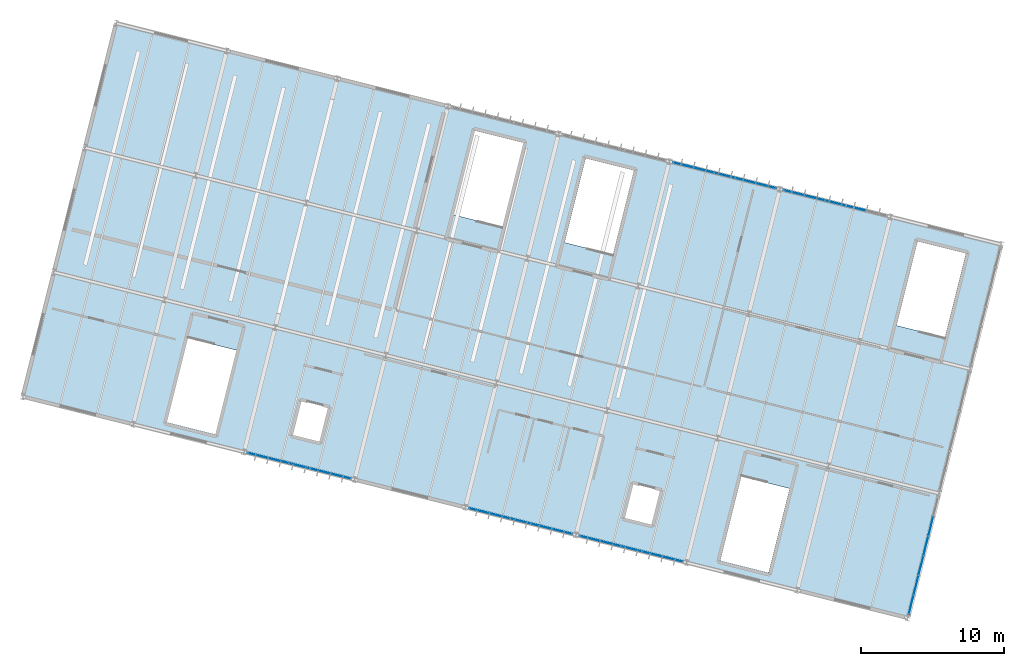
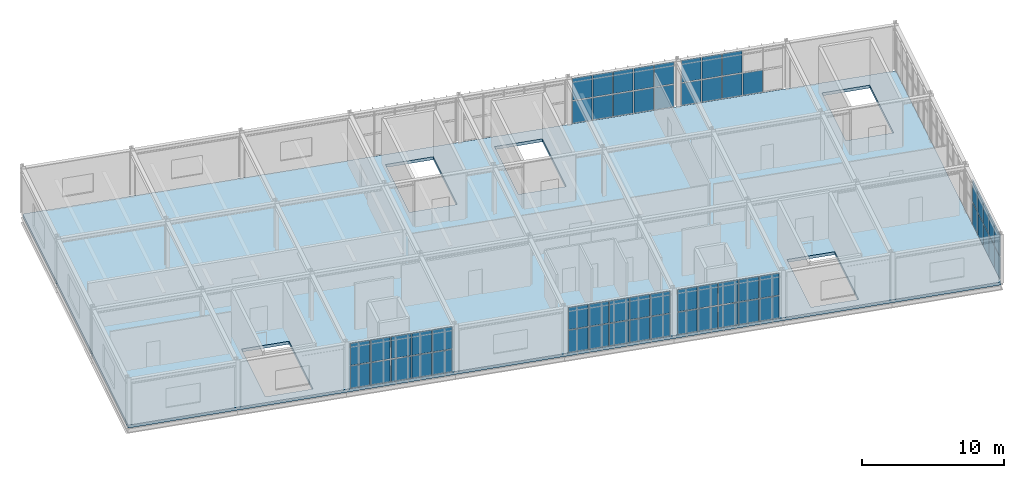
# One storey, part 21 of 30: 57 plates, 1 slab, 6 elements without a shape of their own.
"""IFC4 building model written with IfcOpenShell, lengths in metres."""

from ifc_helpers import new_model, si_unit, derived_unit, direction, frame, origin, origin_2d, place, context, subcontext, project, spatial, polyline, rectangle, outline, extrude, material, layer, layer_set, type_object, element, aggregate, save


model = new_model("IFC4")

# Units and contexts
model_context = context("Model", 3, precision=1e-05, world=origin(), true_north=direction((0.0, 1.0)))
body_context = subcontext(model_context, "Body", "Model", "MODEL_VIEW")
ifc_project = project(units=[si_unit("LENGTHUNIT", "METRE"), si_unit("AREAUNIT", "SQUARE_METRE"), si_unit("VOLUMEUNIT", "CUBIC_METRE"), si_unit("PLANEANGLEUNIT", "RADIAN"), si_unit("MASSUNIT", "GRAM", prefix="KILO"), si_unit("THERMODYNAMICTEMPERATUREUNIT", "KELVIN"), si_unit("TIMEUNIT", "SECOND"), derived_unit("THERMALTRANSMITTANCEUNIT", [(si_unit("MASSUNIT", "GRAM", prefix="KILO"), 1), (si_unit("THERMODYNAMICTEMPERATUREUNIT", "KELVIN"), -1), (si_unit("TIMEUNIT", "SECOND"), -3)])], contexts=[model_context])

# Site, building, storey
site_placement = place(None, origin())
site = spatial("IfcSite", under=ifc_project, at=site_placement, CompositionType="ELEMENT")
building_placement = place(site_placement, origin())
building = spatial("IfcBuilding", under=site, at=building_placement, Name="Cambertide Market Hall", CompositionType="ELEMENT")
storey_placement = place(building_placement, frame((0.0, 0.0, 14.10009765625)))
storey = spatial("IfcBuildingStorey", under=building, at=storey_placement, Name="L04", CompositionType="ELEMENT", Elevation=14.10009765625)

# Slab
ifc_material_1 = material(Name="Concrete B30", Category="concrete")
ifc_layer_1 = layer(ifc_material_1, 0.2548828125, Name="Auditorium & Admin Crown Slab 255")
ifc_layer_set_1 = layer_set([ifc_layer_1], Name="Concrete B30")
slab_type = type_object("IfcSlabType", Name="Auditorium & Admin Crown Slab 255", PredefinedType="FLOOR", material=ifc_layer_set_1)
slab_placement = place(storey_placement, frame((0.0, 0.0, -0.255126953125)))
element("IfcSlab", 1, at=slab_placement, inside=storey, type_object=slab_type, Name="Level 4 Slab SLB-L04-V4", PredefinedType="FLOOR", context=body_context, shape_type="SweptSolid", body=[
    extrude(outline(polyline([(108.0, 100.0), (170.089111328125, 84.477783203125), (176.6376953125, 110.671630859375), (114.548583984375, 126.19384765625), (108.0, 100.0)]), holes=[polyline([(122.98779296875, 103.25830078125), (121.50927734375, 97.34423828125), (118.11376953125, 98.193115234375), (119.59228515625, 104.107177734375), (122.98779296875, 103.25830078125)]), polyline([(138.2451171875, 112.7490234375), (139.7236328125, 118.6630859375), (143.119140625, 117.814208984375), (141.640625, 111.900146484375), (138.2451171875, 112.7490234375)]), polyline([(161.79345703125, 93.556884765625), (160.31494140625, 87.642822265625), (156.91943359375, 88.49169921875), (158.39794921875, 94.40576171875), (161.79345703125, 93.556884765625)]), polyline([(169.289794921875, 104.988037109375), (170.768310546875, 110.90185546875), (174.163818359375, 110.05322265625), (172.685302734375, 104.13916015625), (169.289794921875, 104.988037109375)]), polyline([(146.00634765625, 110.808837890625), (147.48486328125, 116.722900390625), (150.88037109375, 115.8740234375), (149.40185546875, 109.9599609375), (146.00634765625, 110.808837890625)]), polyline([(127.511962890625, 99.708984375), (129.452392578125, 99.223876953125), (128.845947265625, 96.798583984375), (126.90576171875, 97.28369140625), (127.511962890625, 99.708984375)]), polyline([(150.79541015625, 93.88818359375), (152.735595703125, 93.403076171875), (152.12939453125, 90.977783203125), (150.18896484375, 91.462646484375), (150.79541015625, 93.88818359375)])]), origin(), (0.0, 0.0, 1.0), 0.255126953125),
])

# Curtain wall, plates
ifc_material_2 = material(Name="Marine Anodized Aluminium 6063-T6 AA25", Category="aluminium")
curtain_wall_type_1 = type_object("IfcCurtainWallType", Name="Herb Conservatory Crown Curtain Wall", PredefinedType="USERDEFINED", material=ifc_material_2)
curtain_wall_1_placement = place(storey_placement, origin())
curtain_wall_1 = element("IfcCurtainWall", 2, at=curtain_wall_1_placement, inside=storey, type_object=curtain_wall_type_1, Name="Level 4 Curtain Wall CW-V4S-L04-3", ObjectType="UNITIZED CURTAIN WALL", PredefinedType="USERDEFINED")
ifc_material_3 = material(Name="Low-E Laminated Insulated Glass", Category="glass")
ifc_layer_2 = layer(ifc_material_3, 0.028076171875, Name="Vision Insulated Glazing Panel 28")
ifc_layer_set_2 = layer_set([ifc_layer_2], Name="Low-E Laminated Insulated Glass")
plate_type = type_object("IfcPlateType", Name="Vision Insulated Glazing Panel 28", PredefinedType="CURTAIN_PANEL", material=ifc_layer_set_2)
plate_1_placement = place(storey_placement, frame((130.321044921875, 94.419677734375, 0.0400390625), z_axis=(0.0, 0.0, 1.0), x_axis=(-0.970142531436, 0.242535499875, 0.0)))
plate_1 = element("IfcPlate", 3, at=plate_1_placement, type_object=plate_type, Name="CW-V4S-L04-3 Glazing Panel 1-1", PredefinedType="CURTAIN_PANEL", context=body_context, shape_type="SweptSolid", body=[
    extrude(rectangle(XDim=1.424072265625, YDim=0.028076171875, at=origin_2d()), origin(), (0.0, 0.0, 1.0), 1.89990234375),
])
plate_2_placement = place(storey_placement, frame((128.862060546875, 94.784423828125, 0.0400390625), z_axis=(0.0, 0.0, 1.0), x_axis=(-0.970142531436, 0.242535499875, 0.0)))
plate_2 = element("IfcPlate", 4, at=plate_2_placement, type_object=plate_type, Name="CW-V4S-L04-3 Glazing Panel 1-2", PredefinedType="CURTAIN_PANEL", context=body_context, shape_type="SweptSolid", body=[
    extrude(rectangle(XDim=1.424072265625, YDim=0.028076171875, at=origin_2d()), origin(), (0.0, 0.0, 1.0), 1.89990234375),
])
plate_3_placement = place(storey_placement, frame((127.40283203125, 95.149169921875, 0.0400390625), z_axis=(0.0, 0.0, 1.0), x_axis=(-0.970142531436, 0.242535499875, 0.0)))
plate_3 = element("IfcPlate", 5, at=plate_3_placement, type_object=plate_type, Name="CW-V4S-L04-3 Glazing Panel 1-3", PredefinedType="CURTAIN_PANEL", context=body_context, shape_type="SweptSolid", body=[
    extrude(rectangle(XDim=1.424072265625, YDim=0.028076171875, at=origin_2d()), origin(), (0.0, 0.0, 1.0), 1.89990234375),
])
plate_4_placement = place(storey_placement, frame((125.94384765625, 95.51416015625, 0.0400390625), z_axis=(0.0, 0.0, 1.0), x_axis=(-0.970142531436, 0.242535499875, 0.0)))
plate_4 = element("IfcPlate", 6, at=plate_4_placement, type_object=plate_type, Name="CW-V4S-L04-3 Glazing Panel 1-4", PredefinedType="CURTAIN_PANEL", context=body_context, shape_type="SweptSolid", body=[
    extrude(rectangle(XDim=1.424072265625, YDim=0.028076171875, at=origin_2d()), origin(), (0.0, 0.0, 1.0), 1.89990234375),
])
plate_5_placement = place(storey_placement, frame((124.484619140625, 95.87890625, 0.0400390625), z_axis=(0.0, 0.0, 1.0), x_axis=(-0.970142531436, 0.242535499875, 0.0)))
plate_5 = element("IfcPlate", 7, at=plate_5_placement, type_object=plate_type, Name="CW-V4S-L04-3 Glazing Panel 1-5", PredefinedType="CURTAIN_PANEL", context=body_context, shape_type="SweptSolid", body=[
    extrude(rectangle(XDim=1.424072265625, YDim=0.028076171875, at=origin_2d()), origin(), (0.0, 0.0, 1.0), 1.89990234375),
])
plate_6_placement = place(storey_placement, frame((130.321044921875, 94.419677734375, 2.02001953125), z_axis=(0.0, 0.0, 1.0), x_axis=(-0.970142531436, 0.242535499875, 0.0)))
plate_6 = element("IfcPlate", 8, at=plate_6_placement, type_object=plate_type, Name="CW-V4S-L04-3 Glazing Panel 2-1", PredefinedType="CURTAIN_PANEL", context=body_context, shape_type="SweptSolid", body=[
    extrude(rectangle(XDim=1.424072265625, YDim=0.028076171875, at=origin_2d()), origin(), (0.0, 0.0, 1.0), 1.89990234375),
])
plate_7_placement = place(storey_placement, frame((128.862060546875, 94.784423828125, 2.02001953125), z_axis=(0.0, 0.0, 1.0), x_axis=(-0.970142531436, 0.242535499875, 0.0)))
plate_7 = element("IfcPlate", 9, at=plate_7_placement, type_object=plate_type, Name="CW-V4S-L04-3 Glazing Panel 2-2", PredefinedType="CURTAIN_PANEL", context=body_context, shape_type="SweptSolid", body=[
    extrude(rectangle(XDim=1.424072265625, YDim=0.028076171875, at=origin_2d()), origin(), (0.0, 0.0, 1.0), 1.89990234375),
])
plate_8_placement = place(storey_placement, frame((127.40283203125, 95.149169921875, 2.02001953125), z_axis=(0.0, 0.0, 1.0), x_axis=(-0.970142531436, 0.242535499875, 0.0)))
plate_8 = element("IfcPlate", 10, at=plate_8_placement, type_object=plate_type, Name="CW-V4S-L04-3 Glazing Panel 2-3", PredefinedType="CURTAIN_PANEL", context=body_context, shape_type="SweptSolid", body=[
    extrude(rectangle(XDim=1.424072265625, YDim=0.028076171875, at=origin_2d()), origin(), (0.0, 0.0, 1.0), 1.89990234375),
])
plate_9_placement = place(storey_placement, frame((125.94384765625, 95.51416015625, 2.02001953125), z_axis=(0.0, 0.0, 1.0), x_axis=(-0.970142531436, 0.242535499875, 0.0)))
plate_9 = element("IfcPlate", 11, at=plate_9_placement, type_object=plate_type, Name="CW-V4S-L04-3 Glazing Panel 2-4", PredefinedType="CURTAIN_PANEL", context=body_context, shape_type="SweptSolid", body=[
    extrude(rectangle(XDim=1.424072265625, YDim=0.028076171875, at=origin_2d()), origin(), (0.0, 0.0, 1.0), 1.89990234375),
])
plate_10_placement = place(storey_placement, frame((124.484619140625, 95.87890625, 2.02001953125), z_axis=(0.0, 0.0, 1.0), x_axis=(-0.970142531436, 0.242535499875, 0.0)))
plate_10 = element("IfcPlate", 12, at=plate_10_placement, type_object=plate_type, Name="CW-V4S-L04-3 Glazing Panel 2-5", PredefinedType="CURTAIN_PANEL", context=body_context, shape_type="SweptSolid", body=[
    extrude(rectangle(XDim=1.424072265625, YDim=0.028076171875, at=origin_2d()), origin(), (0.0, 0.0, 1.0), 1.89990234375),
])
aggregate(curtain_wall_1, [plate_1, plate_2, plate_3, plate_4, plate_5, plate_6, plate_7, plate_8, plate_9, plate_10])

curtain_wall_2_placement = place(storey_placement, origin())
curtain_wall_2 = element("IfcCurtainWall", 13, at=curtain_wall_2_placement, inside=storey, type_object=curtain_wall_type_1, Name="Level 4 Curtain Wall CW-V4S-L04-5", ObjectType="UNITIZED CURTAIN WALL", PredefinedType="USERDEFINED")
plate_11_placement = place(storey_placement, frame((145.84326171875, 90.5390625, 0.0400390625), z_axis=(0.0, 0.0, 1.0), x_axis=(-0.970142531436, 0.242535499875, 0.0)))
plate_11 = element("IfcPlate", 14, at=plate_11_placement, type_object=plate_type, Name="CW-V4S-L04-5 Glazing Panel 1-1", PredefinedType="CURTAIN_PANEL", context=body_context, shape_type="SweptSolid", body=[
    extrude(rectangle(XDim=1.424072265625, YDim=0.028076171875, at=origin_2d()), origin(), (0.0, 0.0, 1.0), 1.89990234375),
])
plate_12_placement = place(storey_placement, frame((144.38427734375, 90.904052734375, 0.0400390625), z_axis=(0.0, 0.0, 1.0), x_axis=(-0.970142531436, 0.242535499875, 0.0)))
plate_12 = element("IfcPlate", 15, at=plate_12_placement, type_object=plate_type, Name="CW-V4S-L04-5 Glazing Panel 1-2", PredefinedType="CURTAIN_PANEL", context=body_context, shape_type="SweptSolid", body=[
    extrude(rectangle(XDim=1.424072265625, YDim=0.028076171875, at=origin_2d()), origin(), (0.0, 0.0, 1.0), 1.89990234375),
])
plate_13_placement = place(storey_placement, frame((142.925048828125, 91.268798828125, 0.0400390625), z_axis=(0.0, 0.0, 1.0), x_axis=(-0.970142531436, 0.242535499875, 0.0)))
plate_13 = element("IfcPlate", 16, at=plate_13_placement, type_object=plate_type, Name="CW-V4S-L04-5 Glazing Panel 1-3", PredefinedType="CURTAIN_PANEL", context=body_context, shape_type="SweptSolid", body=[
    extrude(rectangle(XDim=1.424072265625, YDim=0.028076171875, at=origin_2d()), origin(), (0.0, 0.0, 1.0), 1.89990234375),
])
plate_14_placement = place(storey_placement, frame((141.466064453125, 91.633544921875, 0.0400390625), z_axis=(0.0, 0.0, 1.0), x_axis=(-0.970142531436, 0.242535499875, 0.0)))
plate_14 = element("IfcPlate", 17, at=plate_14_placement, type_object=plate_type, Name="CW-V4S-L04-5 Glazing Panel 1-4", PredefinedType="CURTAIN_PANEL", context=body_context, shape_type="SweptSolid", body=[
    extrude(rectangle(XDim=1.424072265625, YDim=0.028076171875, at=origin_2d()), origin(), (0.0, 0.0, 1.0), 1.89990234375),
])
plate_15_placement = place(storey_placement, frame((140.0068359375, 91.998291015625, 0.0400390625), z_axis=(0.0, 0.0, 1.0), x_axis=(-0.970142531436, 0.242535499875, 0.0)))
plate_15 = element("IfcPlate", 18, at=plate_15_placement, type_object=plate_type, Name="CW-V4S-L04-5 Glazing Panel 1-5", PredefinedType="CURTAIN_PANEL", context=body_context, shape_type="SweptSolid", body=[
    extrude(rectangle(XDim=1.424072265625, YDim=0.028076171875, at=origin_2d()), origin(), (0.0, 0.0, 1.0), 1.89990234375),
])
plate_16_placement = place(storey_placement, frame((145.84326171875, 90.5390625, 2.02001953125), z_axis=(0.0, 0.0, 1.0), x_axis=(-0.970142531436, 0.242535499875, 0.0)))
plate_16 = element("IfcPlate", 19, at=plate_16_placement, type_object=plate_type, Name="CW-V4S-L04-5 Glazing Panel 2-1", PredefinedType="CURTAIN_PANEL", context=body_context, shape_type="SweptSolid", body=[
    extrude(rectangle(XDim=1.424072265625, YDim=0.028076171875, at=origin_2d()), origin(), (0.0, 0.0, 1.0), 1.89990234375),
])
plate_17_placement = place(storey_placement, frame((144.38427734375, 90.904052734375, 2.02001953125), z_axis=(0.0, 0.0, 1.0), x_axis=(-0.970142531436, 0.242535499875, 0.0)))
plate_17 = element("IfcPlate", 20, at=plate_17_placement, type_object=plate_type, Name="CW-V4S-L04-5 Glazing Panel 2-2", PredefinedType="CURTAIN_PANEL", context=body_context, shape_type="SweptSolid", body=[
    extrude(rectangle(XDim=1.424072265625, YDim=0.028076171875, at=origin_2d()), origin(), (0.0, 0.0, 1.0), 1.89990234375),
])
plate_18_placement = place(storey_placement, frame((142.925048828125, 91.268798828125, 2.02001953125), z_axis=(0.0, 0.0, 1.0), x_axis=(-0.970142531436, 0.242535499875, 0.0)))
plate_18 = element("IfcPlate", 21, at=plate_18_placement, type_object=plate_type, Name="CW-V4S-L04-5 Glazing Panel 2-3", PredefinedType="CURTAIN_PANEL", context=body_context, shape_type="SweptSolid", body=[
    extrude(rectangle(XDim=1.424072265625, YDim=0.028076171875, at=origin_2d()), origin(), (0.0, 0.0, 1.0), 1.89990234375),
])
plate_19_placement = place(storey_placement, frame((141.466064453125, 91.633544921875, 2.02001953125), z_axis=(0.0, 0.0, 1.0), x_axis=(-0.970142531436, 0.242535499875, 0.0)))
plate_19 = element("IfcPlate", 22, at=plate_19_placement, type_object=plate_type, Name="CW-V4S-L04-5 Glazing Panel 2-4", PredefinedType="CURTAIN_PANEL", context=body_context, shape_type="SweptSolid", body=[
    extrude(rectangle(XDim=1.424072265625, YDim=0.028076171875, at=origin_2d()), origin(), (0.0, 0.0, 1.0), 1.89990234375),
])
plate_20_placement = place(storey_placement, frame((140.0068359375, 91.998291015625, 2.02001953125), z_axis=(0.0, 0.0, 1.0), x_axis=(-0.970142531436, 0.242535499875, 0.0)))
plate_20 = element("IfcPlate", 23, at=plate_20_placement, type_object=plate_type, Name="CW-V4S-L04-5 Glazing Panel 2-5", PredefinedType="CURTAIN_PANEL", context=body_context, shape_type="SweptSolid", body=[
    extrude(rectangle(XDim=1.424072265625, YDim=0.028076171875, at=origin_2d()), origin(), (0.0, 0.0, 1.0), 1.89990234375),
])
aggregate(curtain_wall_2, [plate_11, plate_12, plate_13, plate_14, plate_15, plate_16, plate_17, plate_18, plate_19, plate_20])

curtain_wall_3_placement = place(storey_placement, origin())
curtain_wall_3 = element("IfcCurtainWall", 24, at=curtain_wall_3_placement, inside=storey, type_object=curtain_wall_type_1, Name="Level 4 Curtain Wall CW-V4N-L04-6", ObjectType="UNITIZED CURTAIN WALL", PredefinedType="USERDEFINED")
plate_21_placement = place(storey_placement, frame((154.316650390625, 116.251708984375, 0.0400390625), z_axis=(0.0, 0.0, 1.0), x_axis=(0.970142500145, -0.242535625038, 0.0)))
plate_21 = element("IfcPlate", 25, at=plate_21_placement, type_object=plate_type, Name="CW-V4N-L04-6 Glazing Panel 1-1", PredefinedType="CURTAIN_PANEL", context=body_context, shape_type="SweptSolid", body=[
    extrude(rectangle(XDim=1.424072265625, YDim=0.028076171875, at=origin_2d()), origin(), (0.0, 0.0, 1.0), 1.89990234375),
])
plate_22_placement = place(storey_placement, frame((155.775634765625, 115.886962890625, 0.0400390625), z_axis=(0.0, 0.0, 1.0), x_axis=(0.970142500145, -0.242535625038, 0.0)))
plate_22 = element("IfcPlate", 26, at=plate_22_placement, type_object=plate_type, Name="CW-V4N-L04-6 Glazing Panel 1-2", PredefinedType="CURTAIN_PANEL", context=body_context, shape_type="SweptSolid", body=[
    extrude(rectangle(XDim=1.424072265625, YDim=0.028076171875, at=origin_2d()), origin(), (0.0, 0.0, 1.0), 1.89990234375),
])
plate_23_placement = place(storey_placement, frame((157.234619140625, 115.522216796875, 0.0400390625), z_axis=(0.0, 0.0, 1.0), x_axis=(0.970142500145, -0.242535625038, 0.0)))
plate_23 = element("IfcPlate", 27, at=plate_23_placement, type_object=plate_type, Name="CW-V4N-L04-6 Glazing Panel 1-3", PredefinedType="CURTAIN_PANEL", context=body_context, shape_type="SweptSolid", body=[
    extrude(rectangle(XDim=1.424072265625, YDim=0.028076171875, at=origin_2d()), origin(), (0.0, 0.0, 1.0), 1.89990234375),
])
plate_24_placement = place(storey_placement, frame((158.69384765625, 115.157470703125, 0.0400390625), z_axis=(0.0, 0.0, 1.0), x_axis=(0.970142500145, -0.242535625038, 0.0)))
plate_24 = element("IfcPlate", 28, at=plate_24_placement, type_object=plate_type, Name="CW-V4N-L04-6 Glazing Panel 1-4", PredefinedType="CURTAIN_PANEL", context=body_context, shape_type="SweptSolid", body=[
    extrude(rectangle(XDim=1.424072265625, YDim=0.028076171875, at=origin_2d()), origin(), (0.0, 0.0, 1.0), 1.89990234375),
])
plate_25_placement = place(storey_placement, frame((160.15283203125, 114.792724609375, 0.0400390625), z_axis=(0.0, 0.0, 1.0), x_axis=(0.970142500145, -0.242535625038, 0.0)))
plate_25 = element("IfcPlate", 29, at=plate_25_placement, type_object=plate_type, Name="CW-V4N-L04-6 Glazing Panel 1-5", PredefinedType="CURTAIN_PANEL", context=body_context, shape_type="SweptSolid", body=[
    extrude(rectangle(XDim=1.424072265625, YDim=0.028076171875, at=origin_2d()), origin(), (0.0, 0.0, 1.0), 1.89990234375),
])
plate_26_placement = place(storey_placement, frame((154.316650390625, 116.251708984375, 2.02001953125), z_axis=(0.0, 0.0, 1.0), x_axis=(0.970142500145, -0.242535625038, 0.0)))
plate_26 = element("IfcPlate", 30, at=plate_26_placement, type_object=plate_type, Name="CW-V4N-L04-6 Glazing Panel 2-1", PredefinedType="CURTAIN_PANEL", context=body_context, shape_type="SweptSolid", body=[
    extrude(rectangle(XDim=1.424072265625, YDim=0.028076171875, at=origin_2d()), origin(), (0.0, 0.0, 1.0), 1.89990234375),
])
plate_27_placement = place(storey_placement, frame((155.775634765625, 115.886962890625, 2.02001953125), z_axis=(0.0, 0.0, 1.0), x_axis=(0.970142500145, -0.242535625038, 0.0)))
plate_27 = element("IfcPlate", 31, at=plate_27_placement, type_object=plate_type, Name="CW-V4N-L04-6 Glazing Panel 2-2", PredefinedType="CURTAIN_PANEL", context=body_context, shape_type="SweptSolid", body=[
    extrude(rectangle(XDim=1.424072265625, YDim=0.028076171875, at=origin_2d()), origin(), (0.0, 0.0, 1.0), 1.89990234375),
])
plate_28_placement = place(storey_placement, frame((157.234619140625, 115.522216796875, 2.02001953125), z_axis=(0.0, 0.0, 1.0), x_axis=(0.970142500145, -0.242535625038, 0.0)))
plate_28 = element("IfcPlate", 32, at=plate_28_placement, type_object=plate_type, Name="CW-V4N-L04-6 Glazing Panel 2-3", PredefinedType="CURTAIN_PANEL", context=body_context, shape_type="SweptSolid", body=[
    extrude(rectangle(XDim=1.424072265625, YDim=0.028076171875, at=origin_2d()), origin(), (0.0, 0.0, 1.0), 1.89990234375),
])
plate_29_placement = place(storey_placement, frame((158.69384765625, 115.157470703125, 2.02001953125), z_axis=(0.0, 0.0, 1.0), x_axis=(0.970142500145, -0.242535625038, 0.0)))
plate_29 = element("IfcPlate", 33, at=plate_29_placement, type_object=plate_type, Name="CW-V4N-L04-6 Glazing Panel 2-4", PredefinedType="CURTAIN_PANEL", context=body_context, shape_type="SweptSolid", body=[
    extrude(rectangle(XDim=1.424072265625, YDim=0.028076171875, at=origin_2d()), origin(), (0.0, 0.0, 1.0), 1.89990234375),
])
plate_30_placement = place(storey_placement, frame((160.15283203125, 114.792724609375, 2.02001953125), z_axis=(0.0, 0.0, 1.0), x_axis=(0.970142500145, -0.242535625038, 0.0)))
plate_30 = element("IfcPlate", 34, at=plate_30_placement, type_object=plate_type, Name="CW-V4N-L04-6 Glazing Panel 2-5", PredefinedType="CURTAIN_PANEL", context=body_context, shape_type="SweptSolid", body=[
    extrude(rectangle(XDim=1.424072265625, YDim=0.028076171875, at=origin_2d()), origin(), (0.0, 0.0, 1.0), 1.89990234375),
])
aggregate(curtain_wall_3, [plate_21, plate_22, plate_23, plate_24, plate_25, plate_26, plate_27, plate_28, plate_29, plate_30])

curtain_wall_4_placement = place(storey_placement, origin())
curtain_wall_4 = element("IfcCurtainWall", 35, at=curtain_wall_4_placement, inside=storey, type_object=curtain_wall_type_1, Name="Level 4 Curtain Wall CW-V4S-L04-6", ObjectType="UNITIZED CURTAIN WALL", PredefinedType="USERDEFINED")
plate_31_placement = place(storey_placement, frame((153.6044921875, 88.598876953125, 0.0400390625), z_axis=(0.0, 0.0, 1.0), x_axis=(-0.970142531436, 0.242535499875, 0.0)))
plate_31 = element("IfcPlate", 36, at=plate_31_placement, type_object=plate_type, Name="CW-V4S-L04-6 Glazing Panel 1-1", PredefinedType="CURTAIN_PANEL", context=body_context, shape_type="SweptSolid", body=[
    extrude(rectangle(XDim=1.424072265625, YDim=0.028076171875, at=origin_2d()), origin(), (0.0, 0.0, 1.0), 1.89990234375),
])
plate_32_placement = place(storey_placement, frame((152.145263671875, 88.963623046875, 0.0400390625), z_axis=(0.0, 0.0, 1.0), x_axis=(-0.970142531436, 0.242535499875, 0.0)))
plate_32 = element("IfcPlate", 37, at=plate_32_placement, type_object=plate_type, Name="CW-V4S-L04-6 Glazing Panel 1-2", PredefinedType="CURTAIN_PANEL", context=body_context, shape_type="SweptSolid", body=[
    extrude(rectangle(XDim=1.424072265625, YDim=0.028076171875, at=origin_2d()), origin(), (0.0, 0.0, 1.0), 1.89990234375),
])
plate_33_placement = place(storey_placement, frame((150.686279296875, 89.328369140625, 0.0400390625), z_axis=(0.0, 0.0, 1.0), x_axis=(-0.970142531436, 0.242535499875, 0.0)))
plate_33 = element("IfcPlate", 38, at=plate_33_placement, type_object=plate_type, Name="CW-V4S-L04-6 Glazing Panel 1-3", PredefinedType="CURTAIN_PANEL", context=body_context, shape_type="SweptSolid", body=[
    extrude(rectangle(XDim=1.424072265625, YDim=0.028076171875, at=origin_2d()), origin(), (0.0, 0.0, 1.0), 1.89990234375),
])
plate_34_placement = place(storey_placement, frame((149.227294921875, 89.693115234375, 0.0400390625), z_axis=(0.0, 0.0, 1.0), x_axis=(-0.970142531436, 0.242535499875, 0.0)))
plate_34 = element("IfcPlate", 39, at=plate_34_placement, type_object=plate_type, Name="CW-V4S-L04-6 Glazing Panel 1-4", PredefinedType="CURTAIN_PANEL", context=body_context, shape_type="SweptSolid", body=[
    extrude(rectangle(XDim=1.424072265625, YDim=0.028076171875, at=origin_2d()), origin(), (0.0, 0.0, 1.0), 1.89990234375),
])
plate_35_placement = place(storey_placement, frame((147.76806640625, 90.057861328125, 0.0400390625), z_axis=(0.0, 0.0, 1.0), x_axis=(-0.970142531436, 0.242535499875, 0.0)))
plate_35 = element("IfcPlate", 40, at=plate_35_placement, type_object=plate_type, Name="CW-V4S-L04-6 Glazing Panel 1-5", PredefinedType="CURTAIN_PANEL", context=body_context, shape_type="SweptSolid", body=[
    extrude(rectangle(XDim=1.424072265625, YDim=0.028076171875, at=origin_2d()), origin(), (0.0, 0.0, 1.0), 1.89990234375),
])
plate_36_placement = place(storey_placement, frame((153.6044921875, 88.598876953125, 2.02001953125), z_axis=(0.0, 0.0, 1.0), x_axis=(-0.970142531436, 0.242535499875, 0.0)))
plate_36 = element("IfcPlate", 41, at=plate_36_placement, type_object=plate_type, Name="CW-V4S-L04-6 Glazing Panel 2-1", PredefinedType="CURTAIN_PANEL", context=body_context, shape_type="SweptSolid", body=[
    extrude(rectangle(XDim=1.424072265625, YDim=0.028076171875, at=origin_2d()), origin(), (0.0, 0.0, 1.0), 1.89990234375),
])
plate_37_placement = place(storey_placement, frame((152.145263671875, 88.963623046875, 2.02001953125), z_axis=(0.0, 0.0, 1.0), x_axis=(-0.970142531436, 0.242535499875, 0.0)))
plate_37 = element("IfcPlate", 42, at=plate_37_placement, type_object=plate_type, Name="CW-V4S-L04-6 Glazing Panel 2-2", PredefinedType="CURTAIN_PANEL", context=body_context, shape_type="SweptSolid", body=[
    extrude(rectangle(XDim=1.424072265625, YDim=0.028076171875, at=origin_2d()), origin(), (0.0, 0.0, 1.0), 1.89990234375),
])
plate_38_placement = place(storey_placement, frame((150.686279296875, 89.328369140625, 2.02001953125), z_axis=(0.0, 0.0, 1.0), x_axis=(-0.970142531436, 0.242535499875, 0.0)))
plate_38 = element("IfcPlate", 43, at=plate_38_placement, type_object=plate_type, Name="CW-V4S-L04-6 Glazing Panel 2-3", PredefinedType="CURTAIN_PANEL", context=body_context, shape_type="SweptSolid", body=[
    extrude(rectangle(XDim=1.424072265625, YDim=0.028076171875, at=origin_2d()), origin(), (0.0, 0.0, 1.0), 1.89990234375),
])
plate_39_placement = place(storey_placement, frame((149.227294921875, 89.693115234375, 2.02001953125), z_axis=(0.0, 0.0, 1.0), x_axis=(-0.970142531436, 0.242535499875, 0.0)))
plate_39 = element("IfcPlate", 44, at=plate_39_placement, type_object=plate_type, Name="CW-V4S-L04-6 Glazing Panel 2-4", PredefinedType="CURTAIN_PANEL", context=body_context, shape_type="SweptSolid", body=[
    extrude(rectangle(XDim=1.424072265625, YDim=0.028076171875, at=origin_2d()), origin(), (0.0, 0.0, 1.0), 1.89990234375),
])
plate_40_placement = place(storey_placement, frame((147.76806640625, 90.057861328125, 2.02001953125), z_axis=(0.0, 0.0, 1.0), x_axis=(-0.970142531436, 0.242535499875, 0.0)))
plate_40 = element("IfcPlate", 45, at=plate_40_placement, type_object=plate_type, Name="CW-V4S-L04-6 Glazing Panel 2-5", PredefinedType="CURTAIN_PANEL", context=body_context, shape_type="SweptSolid", body=[
    extrude(rectangle(XDim=1.424072265625, YDim=0.028076171875, at=origin_2d()), origin(), (0.0, 0.0, 1.0), 1.89990234375),
])
aggregate(curtain_wall_4, [plate_31, plate_32, plate_33, plate_34, plate_35, plate_36, plate_37, plate_38, plate_39, plate_40])

curtain_wall_5_placement = place(storey_placement, origin())
curtain_wall_5 = element("IfcCurtainWall", 46, at=curtain_wall_5_placement, inside=storey, type_object=curtain_wall_type_1, Name="Level 4 Curtain Wall CW-V4N-L04-7", ObjectType="UNITIZED CURTAIN WALL", PredefinedType="USERDEFINED")
plate_41_placement = place(storey_placement, frame((162.07763671875, 114.3115234375, 0.0400390625), z_axis=(0.0, 0.0, 1.0), x_axis=(0.970142500145, -0.242535625038, 0.0)))
plate_41 = element("IfcPlate", 47, at=plate_41_placement, type_object=plate_type, Name="CW-V4N-L04-7 Glazing Panel 1-1", PredefinedType="CURTAIN_PANEL", context=body_context, shape_type="SweptSolid", body=[
    extrude(rectangle(XDim=1.424072265625, YDim=0.028076171875, at=origin_2d()), origin(), (0.0, 0.0, 1.0), 1.89990234375),
])
plate_42_placement = place(storey_placement, frame((163.536865234375, 113.94677734375, 0.0400390625), z_axis=(0.0, 0.0, 1.0), x_axis=(0.970142500145, -0.242535625038, 0.0)))
plate_42 = element("IfcPlate", 48, at=plate_42_placement, type_object=plate_type, Name="CW-V4N-L04-7 Glazing Panel 1-2", PredefinedType="CURTAIN_PANEL", context=body_context, shape_type="SweptSolid", body=[
    extrude(rectangle(XDim=1.424072265625, YDim=0.028076171875, at=origin_2d()), origin(), (0.0, 0.0, 1.0), 1.89990234375),
])
plate_43_placement = place(storey_placement, frame((164.995849609375, 113.58203125, 0.0400390625), z_axis=(0.0, 0.0, 1.0), x_axis=(0.970142500145, -0.242535625038, 0.0)))
plate_43 = element("IfcPlate", 49, at=plate_43_placement, type_object=plate_type, Name="CW-V4N-L04-7 Glazing Panel 1-3", PredefinedType="CURTAIN_PANEL", context=body_context, shape_type="SweptSolid", body=[
    extrude(rectangle(XDim=1.424072265625, YDim=0.028076171875, at=origin_2d()), origin(), (0.0, 0.0, 1.0), 1.89990234375),
])
plate_44_placement = place(storey_placement, frame((166.455078125, 113.21728515625, 0.0400390625), z_axis=(0.0, 0.0, 1.0), x_axis=(0.970142500145, -0.242535625038, 0.0)))
plate_44 = element("IfcPlate", 50, at=plate_44_placement, type_object=plate_type, Name="CW-V4N-L04-7 Glazing Panel 1-4", PredefinedType="CURTAIN_PANEL", context=body_context, shape_type="SweptSolid", body=[
    extrude(rectangle(XDim=1.424072265625, YDim=0.028076171875, at=origin_2d()), origin(), (0.0, 0.0, 1.0), 1.89990234375),
])
plate_45_placement = place(storey_placement, frame((162.07763671875, 114.3115234375, 2.02001953125), z_axis=(0.0, 0.0, 1.0), x_axis=(0.970142500145, -0.242535625038, 0.0)))
plate_45 = element("IfcPlate", 51, at=plate_45_placement, type_object=plate_type, Name="CW-V4N-L04-7 Glazing Panel 2-1", PredefinedType="CURTAIN_PANEL", context=body_context, shape_type="SweptSolid", body=[
    extrude(rectangle(XDim=1.424072265625, YDim=0.028076171875, at=origin_2d()), origin(), (0.0, 0.0, 1.0), 1.89990234375),
])
plate_46_placement = place(storey_placement, frame((163.536865234375, 113.94677734375, 2.02001953125), z_axis=(0.0, 0.0, 1.0), x_axis=(0.970142500145, -0.242535625038, 0.0)))
plate_46 = element("IfcPlate", 52, at=plate_46_placement, type_object=plate_type, Name="CW-V4N-L04-7 Glazing Panel 2-2", PredefinedType="CURTAIN_PANEL", context=body_context, shape_type="SweptSolid", body=[
    extrude(rectangle(XDim=1.424072265625, YDim=0.028076171875, at=origin_2d()), origin(), (0.0, 0.0, 1.0), 1.89990234375),
])
plate_47_placement = place(storey_placement, frame((164.995849609375, 113.58203125, 2.02001953125), z_axis=(0.0, 0.0, 1.0), x_axis=(0.970142500145, -0.242535625038, 0.0)))
plate_47 = element("IfcPlate", 53, at=plate_47_placement, type_object=plate_type, Name="CW-V4N-L04-7 Glazing Panel 2-3", PredefinedType="CURTAIN_PANEL", context=body_context, shape_type="SweptSolid", body=[
    extrude(rectangle(XDim=1.424072265625, YDim=0.028076171875, at=origin_2d()), origin(), (0.0, 0.0, 1.0), 1.89990234375),
])
aggregate(curtain_wall_5, [plate_41, plate_42, plate_43, plate_44, plate_45, plate_46, plate_47])

ifc_material_4 = material(Name="Marine Anodized Aluminium 6063-T6 AA25", Category="aluminium")
curtain_wall_type_2 = type_object("IfcCurtainWallType", Name="Cooking School Classroom Curtain Wall", PredefinedType="USERDEFINED", material=ifc_material_4)
curtain_wall_6_placement = place(storey_placement, origin())
curtain_wall_6 = element("IfcCurtainWall", 54, at=curtain_wall_6_placement, inside=storey, type_object=curtain_wall_type_2, Name="Level 4 Curtain Wall CW-V4E-L04-1", ObjectType="UNITIZED CURTAIN WALL", PredefinedType="USERDEFINED")
plate_48_placement = place(storey_placement, frame((171.697021484375, 90.90966796875, 0.0400390625), z_axis=(0.0, 0.0, 1.0), x_axis=(-0.242535569805, -0.970142513953, 0.0)))
plate_48 = element("IfcPlate", 55, at=plate_48_placement, type_object=plate_type, Name="CW-V4E-L04-1 Glazing Panel 1-2", PredefinedType="CURTAIN_PANEL", context=body_context, shape_type="SweptSolid", body=[
    extrude(rectangle(XDim=1.340087890625, YDim=0.028076171875, at=origin_2d()), origin(), (0.0, 0.0, 1.0), 1.89990234375),
])
plate_49_placement = place(storey_placement, frame((171.352783203125, 89.5322265625, 0.0400390625), z_axis=(0.0, 0.0, 1.0), x_axis=(-0.242535569805, -0.970142513953, 0.0)))
plate_49 = element("IfcPlate", 56, at=plate_49_placement, type_object=plate_type, Name="CW-V4E-L04-1 Glazing Panel 1-3", PredefinedType="CURTAIN_PANEL", context=body_context, shape_type="SweptSolid", body=[
    extrude(rectangle(XDim=1.340087890625, YDim=0.028076171875, at=origin_2d()), origin(), (0.0, 0.0, 1.0), 1.89990234375),
])
plate_50_placement = place(storey_placement, frame((171.00830078125, 88.154541015625, 0.0400390625), z_axis=(0.0, 0.0, 1.0), x_axis=(-0.242535569805, -0.970142513953, 0.0)))
plate_50 = element("IfcPlate", 57, at=plate_50_placement, type_object=plate_type, Name="CW-V4E-L04-1 Glazing Panel 1-4", PredefinedType="CURTAIN_PANEL", context=body_context, shape_type="SweptSolid", body=[
    extrude(rectangle(XDim=1.340087890625, YDim=0.028076171875, at=origin_2d()), origin(), (0.0, 0.0, 1.0), 1.89990234375),
])
plate_51_placement = place(storey_placement, frame((170.663818359375, 86.77685546875, 0.0400390625), z_axis=(0.0, 0.0, 1.0), x_axis=(-0.242535569805, -0.970142513953, 0.0)))
plate_51 = element("IfcPlate", 58, at=plate_51_placement, type_object=plate_type, Name="CW-V4E-L04-1 Glazing Panel 1-5", PredefinedType="CURTAIN_PANEL", context=body_context, shape_type="SweptSolid", body=[
    extrude(rectangle(XDim=1.340087890625, YDim=0.028076171875, at=origin_2d()), origin(), (0.0, 0.0, 1.0), 1.89990234375),
])
plate_52_placement = place(storey_placement, frame((170.319580078125, 85.3994140625, 0.0400390625), z_axis=(0.0, 0.0, 1.0), x_axis=(-0.242535569805, -0.970142513953, 0.0)))
plate_52 = element("IfcPlate", 59, at=plate_52_placement, type_object=plate_type, Name="CW-V4E-L04-1 Glazing Panel 1-6", PredefinedType="CURTAIN_PANEL", context=body_context, shape_type="SweptSolid", body=[
    extrude(rectangle(XDim=1.340087890625, YDim=0.028076171875, at=origin_2d()), origin(), (0.0, 0.0, 1.0), 1.89990234375),
])
plate_53_placement = place(storey_placement, frame((171.697021484375, 90.90966796875, 2.02001953125), z_axis=(0.0, 0.0, 1.0), x_axis=(-0.242535569805, -0.970142513953, 0.0)))
plate_53 = element("IfcPlate", 60, at=plate_53_placement, type_object=plate_type, Name="CW-V4E-L04-1 Glazing Panel 2-2", PredefinedType="CURTAIN_PANEL", context=body_context, shape_type="SweptSolid", body=[
    extrude(rectangle(XDim=1.340087890625, YDim=0.028076171875, at=origin_2d()), origin(), (0.0, 0.0, 1.0), 1.89990234375),
])
plate_54_placement = place(storey_placement, frame((171.352783203125, 89.5322265625, 2.02001953125), z_axis=(0.0, 0.0, 1.0), x_axis=(-0.242535569805, -0.970142513953, 0.0)))
plate_54 = element("IfcPlate", 61, at=plate_54_placement, type_object=plate_type, Name="CW-V4E-L04-1 Glazing Panel 2-3", PredefinedType="CURTAIN_PANEL", context=body_context, shape_type="SweptSolid", body=[
    extrude(rectangle(XDim=1.340087890625, YDim=0.028076171875, at=origin_2d()), origin(), (0.0, 0.0, 1.0), 1.89990234375),
])
plate_55_placement = place(storey_placement, frame((171.00830078125, 88.154541015625, 2.02001953125), z_axis=(0.0, 0.0, 1.0), x_axis=(-0.242535569805, -0.970142513953, 0.0)))
plate_55 = element("IfcPlate", 62, at=plate_55_placement, type_object=plate_type, Name="CW-V4E-L04-1 Glazing Panel 2-4", PredefinedType="CURTAIN_PANEL", context=body_context, shape_type="SweptSolid", body=[
    extrude(rectangle(XDim=1.340087890625, YDim=0.028076171875, at=origin_2d()), origin(), (0.0, 0.0, 1.0), 1.89990234375),
])
plate_56_placement = place(storey_placement, frame((170.663818359375, 86.77685546875, 2.02001953125), z_axis=(0.0, 0.0, 1.0), x_axis=(-0.242535569805, -0.970142513953, 0.0)))
plate_56 = element("IfcPlate", 63, at=plate_56_placement, type_object=plate_type, Name="CW-V4E-L04-1 Glazing Panel 2-5", PredefinedType="CURTAIN_PANEL", context=body_context, shape_type="SweptSolid", body=[
    extrude(rectangle(XDim=1.340087890625, YDim=0.028076171875, at=origin_2d()), origin(), (0.0, 0.0, 1.0), 1.89990234375),
])
plate_57_placement = place(storey_placement, frame((170.319580078125, 85.3994140625, 2.02001953125), z_axis=(0.0, 0.0, 1.0), x_axis=(-0.242535569805, -0.970142513953, 0.0)))
plate_57 = element("IfcPlate", 64, at=plate_57_placement, type_object=plate_type, Name="CW-V4E-L04-1 Glazing Panel 2-6", PredefinedType="CURTAIN_PANEL", context=body_context, shape_type="SweptSolid", body=[
    extrude(rectangle(XDim=1.340087890625, YDim=0.028076171875, at=origin_2d()), origin(), (0.0, 0.0, 1.0), 1.89990234375),
])
aggregate(curtain_wall_6, [plate_48, plate_49, plate_50, plate_51, plate_52, plate_53, plate_54, plate_55, plate_56, plate_57])

save(model, "model.ifc")
